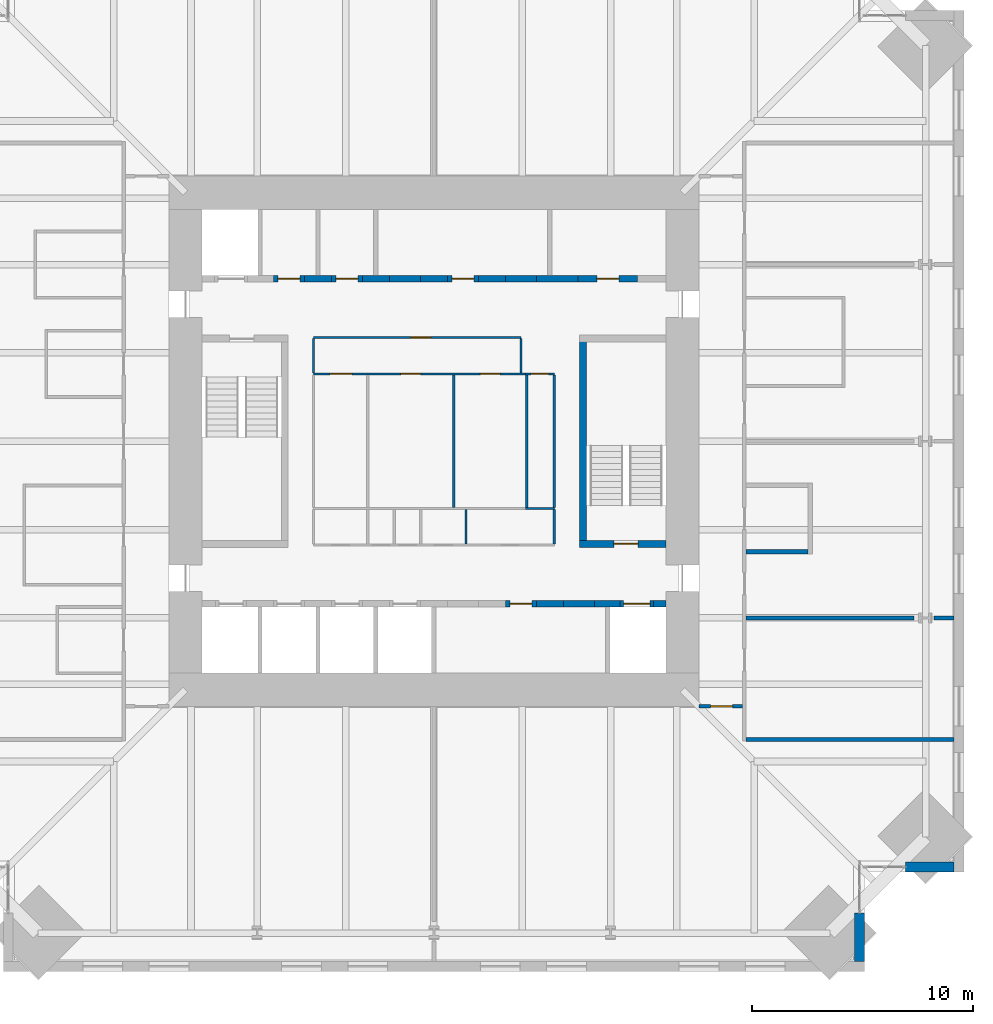
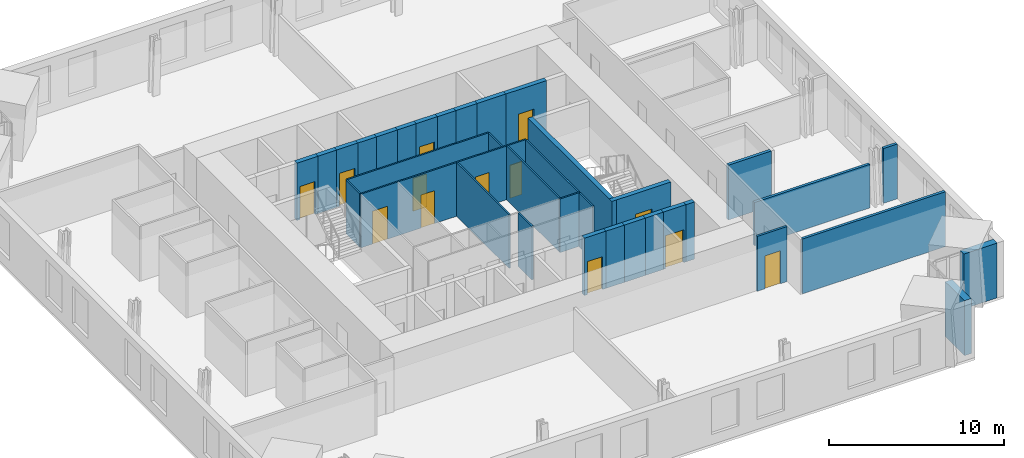
# One storey, part 12 of 15: 37 walls, 13 doors, 13 openings.
"""IFC4 building model written with IfcOpenShell, lengths in metres."""

from ifc_helpers import new_model, si_unit, direction, frame, frame_2d, origin, place, context, subcontext, project, spatial, rectangle, extrude, material, layer, layer_set, type_object, element, fill, save


model = new_model("IFC4")

# Units and contexts
model_context = context("Model", 3, precision=1e-05, world=origin(), true_north=direction((0.0, 1.0)))
body_context = subcontext(model_context, "Body", "Model", "MODEL_VIEW")
ifc_project = project(units=[si_unit("LENGTHUNIT", "METRE"), si_unit("AREAUNIT", "SQUARE_METRE"), si_unit("VOLUMEUNIT", "CUBIC_METRE"), si_unit("PLANEANGLEUNIT", "RADIAN"), si_unit("MASSUNIT", "GRAM", prefix="KILO")], contexts=[model_context])

# Site, building, storey
site_placement = place(None, origin())
site = spatial("IfcSite", under=ifc_project, at=site_placement, CompositionType="ELEMENT")
building_placement = place(site_placement, origin())
building = spatial("IfcBuilding", under=site, at=building_placement, Name="Peilmerk Tower", CompositionType="ELEMENT")
storey_placement = place(building_placement, frame((0.0, 0.0, 213.800048828125)))
storey = spatial("IfcBuildingStorey", under=building, at=storey_placement, Name="L46", CompositionType="ELEMENT", Elevation=213.800048828125)

# Walls
ifc_material_1 = material(Name="Precast concrete C45/55, board-marked finish", Category="concrete")
ifc_layer_1 = layer(ifc_material_1, 0.449951171875)
ifc_layer_set_1 = layer_set([ifc_layer_1], Name="Precast concrete C45/55, board-marked finish")
wall_type_1 = type_object("IfcWallType", Name="EW1 450 precast concrete facade wall, board-marked", PredefinedType="SOLIDWALL", material=ifc_layer_set_1)
for number, where, z_axis, x_axis, name in (
    (1, (19.27490234375, -21.353759765625, 0.0), (0.0, 0.0, 1.0), (0.0, -1.0, 0.0), "Facade wall SEA L46"),
    (2, (21.353759765625, -19.27490234375, 0.0), (0.0, 0.0, 1.0), (1.0, 0.0, 0.0), "Facade wall SEB L46"),
):
    element("IfcWall", number, at=place(storey_placement, frame(where, z_axis=z_axis, x_axis=x_axis)), inside=storey, type_object=wall_type_1, Name=name, PredefinedType="SOLIDWALL", context=body_context, shape_type="SweptSolid", body=[
        extrude(rectangle(XDim=2.1962890625, YDim=0.449951171875, at=frame_2d((1.09814453125, 0.0))), origin(), (0.0, 0.0, 1.0), 3.829833984375),
    ])

# Wall, opening, door
ifc_material_2 = material(Name="Calcium silicate block", Category="masonry")
ifc_layer_2 = layer(ifc_material_2, 0.14990234375)
ifc_layer_set_2 = layer_set([ifc_layer_2], Name="Calcium silicate block")
wall_type_2 = type_object("IfcWallType", Name="IW1 150 corridor partition, EI 60", PredefinedType="PARTITIONING", material=ifc_layer_set_2)
wall_1_placement = place(storey_placement, frame((13.97509765625, -12.0, 0.0), z_axis=(0.0, 0.0, 1.0), x_axis=(-1.0, 0.0, 0.0)))
wall_1 = element("IfcWall", 3, at=wall_1_placement, inside=storey, type_object=wall_type_2, Name="Corridor wall SE L46", PredefinedType="PARTITIONING", context=body_context, shape_type="SweptSolid", body=[
    extrude(rectangle(XDim=1.97509765625, YDim=0.14990234375, at=frame_2d((0.987548828125, 0.0))), origin(), (0.0, 0.0, 1.0), 3.829833984375),
])
opening_1_placement = place(wall_1_placement, frame((0.449951171875, 0.0, 0.0)))
opening_1 = element("IfcOpeningElement", 4, at=opening_1_placement, cuts=wall_1, Name="Opening D1", PredefinedType="OPENING", context=body_context, shape_type="SweptSolid", body=[
    extrude(rectangle(XDim=1.0, YDim=2.300048828125, at=frame_2d((0.5, 1.14990234375))), frame((0.0, 0.0849609375, 0.0), z_axis=(0.0, -1.0, 0.0), x_axis=(1.0, 0.0, 0.0)), (0.0, 0.0, 1.0), 0.169921875),
])
ifc_material_3 = material(Name="Timber door in steel frame", Category="steel")
door_type_1 = type_object("IfcDoorType", Name="D1 1000x2300 room door, EI2 30", OperationType="SINGLE_SWING_LEFT", PredefinedType="DOOR", material=ifc_material_3)
door_1_placement = place(opening_1_placement, origin())
door_1 = element("IfcDoor", 5, at=door_1_placement, inside=storey, type_object=door_type_1, Name="Door Open workspace L46", OperationType="SINGLE_SWING_LEFT", OverallHeight=2.300048828125, OverallWidth=1.0, PredefinedType="DOOR", context=body_context, shape_type="SweptSolid", body=[
    extrude(rectangle(XDim=1.0, YDim=2.300048828125, at=frame_2d((0.5, 1.14990234375))), frame((0.0, 0.02490234375, 0.0), z_axis=(0.0, -1.0, 0.0), x_axis=(1.0, 0.0, 0.0)), (0.0, 0.0, 1.0), 0.050048828125),
])
fill(opening_1, door_1)

# Walls
ifc_layer_3 = layer(ifc_material_2, 0.199951171875)
ifc_layer_set_3 = layer_set([ifc_layer_3], Name="Calcium silicate block")
wall_type_3 = type_object("IfcWallType", Name="IW2 200 room separating wall, EI 120", PredefinedType="PARTITIONING", material=ifc_layer_set_3)
wall_2_placement = place(storey_placement, frame((14.125, -5.0, 0.0), z_axis=(0.0, 0.0, 1.0), x_axis=(1.0, 0.0, 0.0)))
element("IfcWall", 6, at=wall_2_placement, inside=storey, type_object=wall_type_3, Name="Room separating wall Print room L46", PredefinedType="PARTITIONING", context=body_context, shape_type="SweptSolid", body=[
    extrude(rectangle(XDim=2.824951171875, YDim=0.199951171875, at=frame_2d((1.41259765625, 0.0))), origin(), (0.0, 0.0, 1.0), 3.829833984375),
])
ifc_material_4 = material(Name="Concrete C35/45", Category="concrete")
ifc_layer_4 = layer(ifc_material_4, 0.300048828125)
ifc_layer_set_4 = layer_set([ifc_layer_4], Name="Concrete C35/45")
wall_type_4 = type_object("IfcWallType", Name="IW3 300 concrete stair enclosure wall, EI 120", PredefinedType="SOLIDWALL", material=ifc_layer_set_4)
wall_3_placement = place(storey_placement, frame((6.75, -4.800048828125, 0.0), z_axis=(0.0, 0.0, 1.0), x_axis=(0.0, 1.0, 0.0)))
element("IfcWall", 7, at=wall_3_placement, inside=storey, type_object=wall_type_4, Name="Stair 2 enclosure L46", PredefinedType="SOLIDWALL", context=body_context, shape_type="SweptSolid", body=[
    extrude(rectangle(XDim=9.60009765625, YDim=0.300048828125, at=frame_2d((4.800048828125, 0.0))), origin(), (0.0, 0.0, 1.0), 3.75),
])

# Wall, opening, door
wall_4_placement = place(storey_placement, frame((10.5, -4.64990234375, 0.0), z_axis=(0.0, 0.0, 1.0), x_axis=(-1.0, 0.0, 0.0)))
wall_4 = element("IfcWall", 8, at=wall_4_placement, inside=storey, type_object=wall_type_4, Name="Stair 2 enclosure L46", PredefinedType="SOLIDWALL", context=body_context, shape_type="SweptSolid", body=[
    extrude(rectangle(XDim=3.89990234375, YDim=0.300048828125, at=frame_2d((1.949951171875, 0.0))), origin(), (0.0, 0.0, 1.0), 3.75),
])
opening_2_placement = place(wall_4_placement, frame((1.25, 0.0, 0.0)))
opening_2 = element("IfcOpeningElement", 9, at=opening_2_placement, cuts=wall_4, Name="Opening D4", PredefinedType="OPENING", context=body_context, shape_type="SweptSolid", body=[
    extrude(rectangle(XDim=1.10009765625, YDim=2.300048828125, at=frame_2d((0.550048828125, 1.14990234375))), frame((0.0, 0.159912109375, 0.0), z_axis=(0.0, -1.0, 0.0), x_axis=(1.0, 0.0, 0.0)), (0.0, 0.0, 1.0), 0.320068359375),
])
ifc_material_5 = material(Name="Steel door in steel frame", Category="steel")
door_type_2 = type_object("IfcDoorType", Name="D4 1100x2300 stair door, EI2 60", OperationType="SINGLE_SWING_RIGHT", PredefinedType="DOOR", material=ifc_material_5)
door_2_placement = place(opening_2_placement, frame((1.10009765625, 0.0, 0.0), z_axis=(0.0, 0.0, 1.0), x_axis=(-1.0, 0.0, 0.0)))
door_2 = element("IfcDoor", 10, at=door_2_placement, inside=storey, type_object=door_type_2, Name="Stair 2 door L46", OperationType="SINGLE_SWING_RIGHT", OverallHeight=2.300048828125, OverallWidth=1.10009765625, PredefinedType="DOOR", context=body_context, shape_type="SweptSolid", body=[
    extrude(rectangle(XDim=1.10009765625, YDim=2.300048828125, at=frame_2d((0.550048828125, 1.14990234375))), frame((0.0, 0.02490234375, 0.0), z_axis=(0.0, -1.0, 0.0), x_axis=(1.0, 0.0, 0.0)), (0.0, 0.0, 1.0), 0.050048828125),
])
fill(opening_2, door_2)

# Wall, openings, doors
ifc_material_6 = material(Name="Plasterboard on steel studs", Category="steel")
ifc_layer_5 = layer(ifc_material_6, 0.10009765625)
ifc_layer_set_5 = layer_set([ifc_layer_5], Name="Plasterboard on steel studs")
wall_type_5 = type_object("IfcWallType", Name="IW4 100 WC partition", PredefinedType="PARTITIONING", material=ifc_layer_set_5)
wall_5_placement = place(storey_placement, frame((-5.449951171875, 3.050048828125, 0.0), z_axis=(0.0, 0.0, 1.0), x_axis=(1.0, 0.0, 0.0)))
wall_5 = element("IfcWall", 11, at=wall_5_placement, inside=storey, type_object=wall_type_5, Name="WC wall L46", PredefinedType="PARTITIONING", context=body_context, shape_type="SweptSolid", body=[
    extrude(rectangle(XDim=9.599853515625, YDim=0.10009765625, at=frame_2d((4.7998046875, 0.0))), origin(), (0.0, 0.0, 1.0), 3.75),
])
opening_3_placement = place(wall_5_placement, frame((0.75, 0.0, 0.0)))
opening_3 = element("IfcOpeningElement", 12, at=opening_3_placement, cuts=wall_5, Name="Opening D6", PredefinedType="OPENING", context=body_context, shape_type="SweptSolid", body=[
    extrude(rectangle(XDim=1.0, YDim=2.300048828125, at=frame_2d((0.5, 1.14990234375))), frame((0.0, 0.06005859375, 0.0), z_axis=(0.0, -1.0, 0.0), x_axis=(1.0, 0.0, 0.0)), (0.0, 0.0, 1.0), 0.1201171875),
])
opening_4_placement = place(wall_5_placement, frame((3.949951171875, 0.0, 0.0)))
opening_4 = element("IfcOpeningElement", 13, at=opening_4_placement, cuts=wall_5, Name="Opening D5", PredefinedType="OPENING", context=body_context, shape_type="SweptSolid", body=[
    extrude(rectangle(XDim=0.89990234375, YDim=2.300048828125, at=frame_2d((0.449951171875, 1.14990234375))), frame((0.0, 0.06005859375, 0.0), z_axis=(0.0, -1.0, 0.0), x_axis=(1.0, 0.0, 0.0)), (0.0, 0.0, 1.0), 0.1201171875),
])
opening_5_placement = place(wall_5_placement, frame((7.550048828125, 0.0, 0.0)))
opening_5 = element("IfcOpeningElement", 14, at=opening_5_placement, cuts=wall_5, Name="Opening D5", PredefinedType="OPENING", context=body_context, shape_type="SweptSolid", body=[
    extrude(rectangle(XDim=0.89990234375, YDim=2.300048828125, at=frame_2d((0.449951171875, 1.14990234375))), frame((0.0, 0.06005859375, 0.0), z_axis=(0.0, -1.0, 0.0), x_axis=(1.0, 0.0, 0.0)), (0.0, 0.0, 1.0), 0.1201171875),
])
door_type_3 = type_object("IfcDoorType", Name="D5 900x2300 WC door", OperationType="SINGLE_SWING_LEFT", PredefinedType="DOOR", material=ifc_material_3)
door_3_placement = place(opening_4_placement, frame((0.89990234375, 0.0, 0.0), z_axis=(0.0, 0.0, 1.0), x_axis=(-1.0, 0.0, 0.0)))
door_3 = element("IfcDoor", 15, at=door_3_placement, inside=storey, type_object=door_type_3, Name="Female toilets door L46", OperationType="SINGLE_SWING_LEFT", OverallHeight=2.300048828125, OverallWidth=0.89990234375, PredefinedType="DOOR", context=body_context, shape_type="SweptSolid", body=[
    extrude(rectangle(XDim=0.89990234375, YDim=2.300048828125, at=frame_2d((0.449951171875, 1.14990234375))), frame((0.0, 0.02490234375, 0.0), z_axis=(0.0, -1.0, 0.0), x_axis=(1.0, 0.0, 0.0)), (0.0, 0.0, 1.0), 0.050048828125),
])
fill(opening_4, door_3)
door_4_placement = place(opening_5_placement, frame((0.89990234375, 0.0, 0.0), z_axis=(0.0, 0.0, 1.0), x_axis=(-1.0, 0.0, 0.0)))
door_4 = element("IfcDoor", 16, at=door_4_placement, inside=storey, type_object=door_type_3, Name="Male toilets door L46", OperationType="SINGLE_SWING_LEFT", OverallHeight=2.300048828125, OverallWidth=0.89990234375, PredefinedType="DOOR", context=body_context, shape_type="SweptSolid", body=[
    extrude(rectangle(XDim=0.89990234375, YDim=2.300048828125, at=frame_2d((0.449951171875, 1.14990234375))), frame((0.0, 0.02490234375, 0.0), z_axis=(0.0, -1.0, 0.0), x_axis=(1.0, 0.0, 0.0)), (0.0, 0.0, 1.0), 0.050048828125),
])
fill(opening_5, door_4)
door_type_4 = type_object("IfcDoorType", Name="D6 1000x2300 accessible WC door", OperationType="SLIDING_TO_LEFT", PredefinedType="DOOR", material=ifc_material_3)
door_5_placement = place(opening_3_placement, frame((1.0, 0.0, 0.0), z_axis=(0.0, 0.0, 1.0), x_axis=(-1.0, 0.0, 0.0)))
door_5 = element("IfcDoor", 17, at=door_5_placement, inside=storey, type_object=door_type_4, Name="Accessible WC door L46", OperationType="SLIDING_TO_LEFT", OverallHeight=2.300048828125, OverallWidth=1.0, PredefinedType="DOOR", context=body_context, shape_type="SweptSolid", body=[
    extrude(rectangle(XDim=1.0, YDim=2.300048828125, at=frame_2d((0.5, 1.14990234375))), frame((0.0, 0.02490234375, 0.0), z_axis=(0.0, -1.0, 0.0), x_axis=(1.0, 0.0, 0.0)), (0.0, 0.0, 1.0), 0.050048828125),
])
fill(opening_3, door_5)

# Wall
wall_6_placement = place(storey_placement, frame((0.89990234375, -3.0, 0.0), z_axis=(0.0, 0.0, 1.0), x_axis=(0.0, 1.0, 0.0)))
element("IfcWall", 18, at=wall_6_placement, inside=storey, type_object=wall_type_5, Name="WC wall L46", PredefinedType="PARTITIONING", context=body_context, shape_type="SweptSolid", body=[
    extrude(rectangle(XDim=6.0, YDim=0.10009765625, at=frame_2d((3.0, 0.0))), origin(), (0.0, 0.0, 1.0), 3.75),
])

# Wall, opening, door
ifc_material_7 = material(Name="Calcium silicate board on steel studs", Category="steel")
ifc_layer_6 = layer(ifc_material_7, 0.10009765625)
ifc_layer_set_6 = layer_set([ifc_layer_6], Name="Calcium silicate board on steel studs")
wall_type_6 = type_object("IfcWallType", Name="IW5 100 riser enclosure wall, EI 60", PredefinedType="PARTITIONING", material=ifc_layer_set_6)
wall_7_placement = place(storey_placement, frame((4.14990234375, 3.050048828125, 0.0), z_axis=(0.0, 0.0, 1.0), x_axis=(1.0, 0.0, 0.0)))
wall_7 = element("IfcWall", 19, at=wall_7_placement, inside=storey, type_object=wall_type_6, Name="Riser wall L46", PredefinedType="PARTITIONING", context=body_context, shape_type="SweptSolid", body=[
    extrude(rectangle(XDim=1.300048828125, YDim=0.10009765625, at=frame_2d((0.64990234375, 0.0))), origin(), (0.0, 0.0, 1.0), 3.75),
])
opening_6_placement = place(wall_7_placement, frame((0.25, 0.0, 0.0)))
opening_6 = element("IfcOpeningElement", 20, at=opening_6_placement, cuts=wall_7, Name="Opening D7", PredefinedType="OPENING", context=body_context, shape_type="SweptSolid", body=[
    extrude(rectangle(XDim=0.800048828125, YDim=2.300048828125, at=frame_2d((0.39990234375, 1.14990234375))), frame((0.0, 0.06005859375, 0.0), z_axis=(0.0, -1.0, 0.0), x_axis=(1.0, 0.0, 0.0)), (0.0, 0.0, 1.0), 0.1201171875),
])
door_type_5 = type_object("IfcDoorType", Name="D7 800x2300 riser access door, EI2 60", OperationType="SINGLE_SWING_RIGHT", PredefinedType="DOOR", material=ifc_material_5)
door_6_placement = place(opening_6_placement, frame((0.800048828125, 0.0, 0.0), z_axis=(0.0, 0.0, 1.0), x_axis=(-1.0, 0.0, 0.0)))
door_6 = element("IfcDoor", 21, at=door_6_placement, inside=storey, type_object=door_type_5, Name="Plumbing riser door L46", OperationType="SINGLE_SWING_RIGHT", OverallHeight=2.300048828125, OverallWidth=0.800048828125, PredefinedType="DOOR", context=body_context, shape_type="SweptSolid", body=[
    extrude(rectangle(XDim=0.800048828125, YDim=2.300048828125, at=frame_2d((0.39990234375, 1.14990234375))), frame((0.0, 0.02490234375, 0.0), z_axis=(0.0, -1.0, 0.0), x_axis=(1.0, 0.0, 0.0)), (0.0, 0.0, 1.0), 0.050048828125),
])
fill(opening_6, door_6)

# Walls
wall_8_placement = place(storey_placement, frame((5.449951171875, -3.050048828125, 0.0), z_axis=(0.0, 0.0, 1.0), x_axis=(-1.0, 0.0, 0.0)))
element("IfcWall", 22, at=wall_8_placement, inside=storey, type_object=wall_type_6, Name="Riser wall L46", PredefinedType="PARTITIONING", context=body_context, shape_type="SweptSolid", body=[
    extrude(rectangle(XDim=1.300048828125, YDim=0.10009765625, at=frame_2d((0.64990234375, 0.0))), origin(), (0.0, 0.0, 1.0), 3.75),
])
for number, where, z_axis, x_axis, name in (
    (23, (5.449951171875, 3.0, 0.0), (0.0, 0.0, 1.0), (0.0, -1.0, 0.0), "Riser wall L46"),
    (24, (4.199951171875, -3.0, 0.0), (0.0, 0.0, 1.0), (0.0, 1.0, 0.0), "Riser wall L46"),
):
    element("IfcWall", number, at=place(storey_placement, frame(where, z_axis=z_axis, x_axis=x_axis)), inside=storey, type_object=wall_type_6, Name=name, PredefinedType="PARTITIONING", context=body_context, shape_type="SweptSolid", body=[
        extrude(rectangle(XDim=6.0, YDim=0.10009765625, at=frame_2d((3.0, 0.0))), origin(), (0.0, 0.0, 1.0), 3.75),
    ])
for number, where, z_axis, x_axis, name in (
    (25, (5.449951171875, -3.10009765625, 0.0), (0.0, 0.0, 1.0), (0.0, -1.0, 0.0), "Riser wall L46"),
    (26, (1.449951171875, -3.10009765625, 0.0), (0.0, 0.0, 1.0), (0.0, -1.0, 0.0), "Riser wall L46"),
):
    element("IfcWall", number, at=place(storey_placement, frame(where, z_axis=z_axis, x_axis=x_axis)), inside=storey, type_object=wall_type_6, Name=name, PredefinedType="PARTITIONING", context=body_context, shape_type="SweptSolid", body=[
        extrude(rectangle(XDim=1.5498046875, YDim=0.10009765625, at=frame_2d((0.77490234375, 0.0))), origin(), (0.0, 0.0, 1.0), 3.75),
    ])
ifc_layer_7 = layer(ifc_material_2, 0.175048828125)
ifc_layer_set_7 = layer_set([ifc_layer_7], Name="Calcium silicate block")
wall_type_7 = type_object("IfcWallType", Name="IW8 175 tenant separating wall, EI 60", PredefinedType="PARTITIONING", material=ifc_layer_set_7)
wall_9_placement = place(storey_placement, frame((23.550048828125, -13.5, 0.0), z_axis=(0.0, 0.0, 1.0), x_axis=(-1.0, 0.0, 0.0)))
element("IfcWall", 27, at=wall_9_placement, inside=storey, type_object=wall_type_7, Name="Tenant separating wall SE L46", PredefinedType="PARTITIONING", context=body_context, shape_type="SweptSolid", body=[
    extrude(rectangle(XDim=9.425048828125, YDim=0.175048828125, at=frame_2d((4.71240234375, 0.0))), origin(), (0.0, 0.0, 1.0), 3.829833984375),
])
wall_10_placement = place(storey_placement, frame((14.125, -8.0, 0.0), z_axis=(0.0, 0.0, 1.0), x_axis=(1.0, 0.0, 0.0)))
element("IfcWall", 28, at=wall_10_placement, inside=storey, type_object=wall_type_7, Name="Tenant separating wall E1 L46", PredefinedType="PARTITIONING", context=body_context, shape_type="SweptSolid", body=[
    extrude(rectangle(XDim=7.62548828125, YDim=0.175048828125, at=frame_2d((3.812744140625, 0.0))), origin(), (0.0, 0.0, 1.0), 3.0400390625),
])
wall_11_placement = place(storey_placement, frame((22.6396484375, -8.0, 0.0), z_axis=(0.0, 0.0, 1.0), x_axis=(1.0, 0.0, 0.0)))
element("IfcWall", 29, at=wall_11_placement, inside=storey, type_object=wall_type_7, Name="Tenant separating wall E1b L46", PredefinedType="PARTITIONING", context=body_context, shape_type="SweptSolid", body=[
    extrude(rectangle(XDim=0.910400390625, YDim=0.175048828125, at=frame_2d((0.455078125, 0.0))), origin(), (0.0, 0.0, 1.0), 3.829833984375),
])

# Wall, opening, door
ifc_material_8 = material(Name="Fire-resisting plasterboard on steel studs", Category="steel")
ifc_layer_8 = layer(ifc_material_8, 0.10009765625)
ifc_layer_set_8 = layer_set([ifc_layer_8], Name="Fire-resisting plasterboard on steel studs")
wall_type_8 = type_object("IfcWallType", Name="IW9 100 WC lobby wall, EI 30", PredefinedType="PARTITIONING", material=ifc_layer_set_8)
wall_12_placement = place(storey_placement, frame((-5.449951171875, 4.699951171875, 0.0), z_axis=(0.0, 0.0, 1.0), x_axis=(1.0, 0.0, 0.0)))
wall_12 = element("IfcWall", 30, at=wall_12_placement, inside=storey, type_object=wall_type_8, Name="WC lobby wall L46", PredefinedType="PARTITIONING", context=body_context, shape_type="SweptSolid", body=[
    extrude(rectangle(XDim=9.39990234375, YDim=0.10009765625, at=frame_2d((4.699951171875, 0.0))), origin(), (0.0, 0.0, 1.0), 3.75),
])
opening_7_placement = place(wall_12_placement, frame((4.39990234375, 0.0, 0.0)))
opening_7 = element("IfcOpeningElement", 31, at=opening_7_placement, cuts=wall_12, Name="Opening D11", PredefinedType="OPENING", context=body_context, shape_type="SweptSolid", body=[
    extrude(rectangle(XDim=0.89990234375, YDim=2.300048828125, at=frame_2d((0.449951171875, 1.14990234375))), frame((0.0, 0.06005859375, 0.0), z_axis=(0.0, -1.0, 0.0), x_axis=(1.0, 0.0, 0.0)), (0.0, 0.0, 1.0), 0.1201171875),
])
door_type_6 = type_object("IfcDoorType", Name="D11 900x2300 WC lobby door, EI2 30", OperationType="SINGLE_SWING_LEFT", PredefinedType="DOOR", material=ifc_material_3)
door_7_placement = place(opening_7_placement, frame((0.89990234375, 0.0, 0.0), z_axis=(0.0, 0.0, 1.0), x_axis=(-1.0, 0.0, 0.0)))
door_7 = element("IfcDoor", 32, at=door_7_placement, inside=storey, type_object=door_type_6, Name="WC lobby door L46", OperationType="SINGLE_SWING_LEFT", OverallHeight=2.300048828125, OverallWidth=0.89990234375, PredefinedType="DOOR", context=body_context, shape_type="SweptSolid", body=[
    extrude(rectangle(XDim=0.89990234375, YDim=2.300048828125, at=frame_2d((0.449951171875, 1.14990234375))), frame((0.0, 0.02490234375, 0.0), z_axis=(0.0, -1.0, 0.0), x_axis=(1.0, 0.0, 0.0)), (0.0, 0.0, 1.0), 0.050048828125),
])
fill(opening_7, door_7)

# Walls
for number, where, z_axis, x_axis, name in (
    (33, (-5.449951171875, 3.10009765625, 0.0), (0.0, 0.0, 1.0), (0.0, 1.0, 0.0), "WC lobby wall L46"),
    (34, (3.949951171875, 3.10009765625, 0.0), (0.0, 0.0, 1.0), (0.0, 1.0, 0.0), "WC lobby wall L46"),
):
    element("IfcWall", number, at=place(storey_placement, frame(where, z_axis=z_axis, x_axis=x_axis)), inside=storey, type_object=wall_type_8, Name=name, PredefinedType="PARTITIONING", context=body_context, shape_type="SweptSolid", body=[
        extrude(rectangle(XDim=1.5498046875, YDim=0.10009765625, at=frame_2d((0.77490234375, 0.0))), origin(), (0.0, 0.0, 1.0), 3.75),
    ])

# Wall, opening, door
ifc_layer_9 = layer(ifc_material_2, 0.300048828125)
ifc_layer_set_9 = layer_set([ifc_layer_9], Name="Calcium silicate block")
wall_type_9 = type_object("IfcWallType", Name="SH2 300 lift landing door panel, EI 120", PredefinedType="PARTITIONING", material=ifc_layer_set_9)
wall_13_placement = place(storey_placement, frame((-7.262451171875, 7.35009765625, 0.0), z_axis=(0.0, 0.0, 1.0), x_axis=(1.0, 0.0, 0.0)))
wall_13 = element("IfcWall", 35, at=wall_13_placement, inside=storey, type_object=wall_type_9, Name="Lift door panel N A1 L46", PredefinedType="PARTITIONING", context=body_context, shape_type="SweptSolid", body=[
    extrude(rectangle(XDim=1.39990234375, YDim=0.300048828125, at=frame_2d((0.699951171875, 0.0))), origin(), (0.0, 0.0, 1.0), 4.0),
])
opening_8_placement = place(wall_13_placement, frame((0.199951171875, 0.0, 0.0)))
opening_8 = element("IfcOpeningElement", 36, at=opening_8_placement, cuts=wall_13, Name="Opening D10", PredefinedType="OPENING", context=body_context, shape_type="SweptSolid", body=[
    extrude(rectangle(XDim=1.0, YDim=2.300048828125, at=frame_2d((0.5, 1.14990234375))), frame((0.0, 0.159912109375, 0.0), z_axis=(0.0, -1.0, 0.0), x_axis=(1.0, 0.0, 0.0)), (0.0, 0.0, 1.0), 0.320068359375),
])
door_type_7 = type_object("IfcDoorType", Name="D10 1000x2300 core room door, EI2 60", OperationType="SINGLE_SWING_RIGHT", PredefinedType="DOOR", material=ifc_material_5)
door_8_placement = place(opening_8_placement, origin())
door_8 = element("IfcDoor", 37, at=door_8_placement, inside=storey, type_object=door_type_7, Name="Door Water meter room L46", OperationType="SINGLE_SWING_RIGHT", OverallHeight=2.300048828125, OverallWidth=1.0, PredefinedType="DOOR", context=body_context, shape_type="SweptSolid", body=[
    extrude(rectangle(XDim=1.0, YDim=2.300048828125, at=frame_2d((0.5, 1.14990234375))), frame((0.0, 0.02490234375, 0.0), z_axis=(0.0, -1.0, 0.0), x_axis=(1.0, 0.0, 0.0)), (0.0, 0.0, 1.0), 0.050048828125),
])
fill(opening_8, door_8)

wall_14_placement = place(storey_placement, frame((-4.637451171875, 7.35009765625, 0.0), z_axis=(0.0, 0.0, 1.0), x_axis=(1.0, 0.0, 0.0)))
wall_14 = element("IfcWall", 38, at=wall_14_placement, inside=storey, type_object=wall_type_9, Name="Lift door panel N A2 L46", PredefinedType="PARTITIONING", context=body_context, shape_type="SweptSolid", body=[
    extrude(rectangle(XDim=1.39990234375, YDim=0.300048828125, at=frame_2d((0.699951171875, 0.0))), origin(), (0.0, 0.0, 1.0), 4.0),
])
opening_9_placement = place(wall_14_placement, frame((0.199951171875, 0.0, 0.0)))
opening_9 = element("IfcOpeningElement", 39, at=opening_9_placement, cuts=wall_14, Name="Opening D10", PredefinedType="OPENING", context=body_context, shape_type="SweptSolid", body=[
    extrude(rectangle(XDim=1.0, YDim=2.300048828125, at=frame_2d((0.5, 1.14990234375))), frame((0.0, 0.159912109375, 0.0), z_axis=(0.0, -1.0, 0.0), x_axis=(1.0, 0.0, 0.0)), (0.0, 0.0, 1.0), 0.320068359375),
])
door_9_placement = place(opening_9_placement, origin())
door_9 = element("IfcDoor", 40, at=door_9_placement, inside=storey, type_object=door_type_7, Name="Door Staff WC L46", OperationType="SINGLE_SWING_RIGHT", OverallHeight=2.300048828125, OverallWidth=1.0, PredefinedType="DOOR", context=body_context, shape_type="SweptSolid", body=[
    extrude(rectangle(XDim=1.0, YDim=2.300048828125, at=frame_2d((0.5, 1.14990234375))), frame((0.0, 0.02490234375, 0.0), z_axis=(0.0, -1.0, 0.0), x_axis=(1.0, 0.0, 0.0)), (0.0, 0.0, 1.0), 0.050048828125),
])
fill(opening_9, door_9)

# Wall
wall_15_placement = place(storey_placement, frame((-2.012451171875, 7.35009765625, 0.0), z_axis=(0.0, 0.0, 1.0), x_axis=(1.0, 0.0, 0.0)))
element("IfcWall", 41, at=wall_15_placement, inside=storey, type_object=wall_type_9, Name="Lift door panel N A3 L46", PredefinedType="PARTITIONING", context=body_context, shape_type="SweptSolid", body=[
    extrude(rectangle(XDim=1.39990234375, YDim=0.300048828125, at=frame_2d((0.699951171875, 0.0))), origin(), (0.0, 0.0, 1.0), 4.0),
])

# Wall, opening, door
wall_16_placement = place(storey_placement, frame((0.612548828125, 7.35009765625, 0.0), z_axis=(0.0, 0.0, 1.0), x_axis=(1.0, 0.0, 0.0)))
wall_16 = element("IfcWall", 42, at=wall_16_placement, inside=storey, type_object=wall_type_9, Name="Lift door panel N S1 L46", PredefinedType="PARTITIONING", context=body_context, shape_type="SweptSolid", body=[
    extrude(rectangle(XDim=1.39990234375, YDim=0.300048828125, at=frame_2d((0.699951171875, 0.0))), origin(), (0.0, 0.0, 1.0), 4.0),
])
opening_10_placement = place(wall_16_placement, frame((0.199951171875, 0.0, 0.0)))
opening_10 = element("IfcOpeningElement", 43, at=opening_10_placement, cuts=wall_16, Name="Opening D10", PredefinedType="OPENING", context=body_context, shape_type="SweptSolid", body=[
    extrude(rectangle(XDim=1.0, YDim=2.300048828125, at=frame_2d((0.5, 1.14990234375))), frame((0.0, 0.159912109375, 0.0), z_axis=(0.0, -1.0, 0.0), x_axis=(1.0, 0.0, 0.0)), (0.0, 0.0, 1.0), 0.320068359375),
])
door_10_placement = place(opening_10_placement, origin())
door_10 = element("IfcDoor", 44, at=door_10_placement, inside=storey, type_object=door_type_7, Name="Door Staff room L46", OperationType="SINGLE_SWING_RIGHT", OverallHeight=2.300048828125, OverallWidth=1.0, PredefinedType="DOOR", context=body_context, shape_type="SweptSolid", body=[
    extrude(rectangle(XDim=1.0, YDim=2.300048828125, at=frame_2d((0.5, 1.14990234375))), frame((0.0, 0.02490234375, 0.0), z_axis=(0.0, -1.0, 0.0), x_axis=(1.0, 0.0, 0.0)), (0.0, 0.0, 1.0), 0.050048828125),
])
fill(opening_10, door_10)

# Wall
wall_17_placement = place(storey_placement, frame((3.237548828125, 7.35009765625, 0.0), z_axis=(0.0, 0.0, 1.0), x_axis=(1.0, 0.0, 0.0)))
element("IfcWall", 45, at=wall_17_placement, inside=storey, type_object=wall_type_9, Name="Lift door panel N S2 L46", PredefinedType="PARTITIONING", context=body_context, shape_type="SweptSolid", body=[
    extrude(rectangle(XDim=1.39990234375, YDim=0.300048828125, at=frame_2d((0.699951171875, 0.0))), origin(), (0.0, 0.0, 1.0), 4.0),
])

# Wall, opening, door
wall_18_placement = place(storey_placement, frame((6.52490234375, 7.35009765625, 0.0), z_axis=(0.0, 0.0, 1.0), x_axis=(1.0, 0.0, 0.0)))
wall_18 = element("IfcWall", 46, at=wall_18_placement, inside=storey, type_object=wall_type_9, Name="Lift door panel N GL1 L46", PredefinedType="PARTITIONING", context=body_context, shape_type="SweptSolid", body=[
    extrude(rectangle(XDim=2.7001953125, YDim=0.300048828125, at=frame_2d((1.35009765625, 0.0))), origin(), (0.0, 0.0, 1.0), 4.0),
])
opening_11_placement = place(wall_18_placement, frame((0.85009765625, 0.0, 0.0)))
opening_11 = element("IfcOpeningElement", 47, at=opening_11_placement, cuts=wall_18, Name="Opening D10", PredefinedType="OPENING", context=body_context, shape_type="SweptSolid", body=[
    extrude(rectangle(XDim=1.0, YDim=2.300048828125, at=frame_2d((0.5, 1.14990234375))), frame((0.0, 0.159912109375, 0.0), z_axis=(0.0, -1.0, 0.0), x_axis=(1.0, 0.0, 0.0)), (0.0, 0.0, 1.0), 0.320068359375),
])
door_11_placement = place(opening_11_placement, origin())
door_11 = element("IfcDoor", 48, at=door_11_placement, inside=storey, type_object=door_type_7, Name="Door IT room L46", OperationType="SINGLE_SWING_RIGHT", OverallHeight=2.300048828125, OverallWidth=1.0, PredefinedType="DOOR", context=body_context, shape_type="SweptSolid", body=[
    extrude(rectangle(XDim=1.0, YDim=2.300048828125, at=frame_2d((0.5, 1.14990234375))), frame((0.0, 0.02490234375, 0.0), z_axis=(0.0, -1.0, 0.0), x_axis=(1.0, 0.0, 0.0)), (0.0, 0.0, 1.0), 0.050048828125),
])
fill(opening_11, door_11)

wall_19_placement = place(storey_placement, frame((3.237548828125, -7.35009765625, 0.0), z_axis=(0.0, 0.0, 1.0), x_axis=(1.0, 0.0, 0.0)))
wall_19 = element("IfcWall", 49, at=wall_19_placement, inside=storey, type_object=wall_type_9, Name="Lift door panel S B2 L46", PredefinedType="PARTITIONING", context=body_context, shape_type="SweptSolid", body=[
    extrude(rectangle(XDim=1.39990234375, YDim=0.300048828125, at=frame_2d((0.699951171875, 0.0))), origin(), (0.0, 0.0, 1.0), 4.0),
])
opening_12_placement = place(wall_19_placement, frame((0.199951171875, 0.0, 0.0)))
opening_12 = element("IfcOpeningElement", 50, at=opening_12_placement, cuts=wall_19, Name="Opening D10", PredefinedType="OPENING", context=body_context, shape_type="SweptSolid", body=[
    extrude(rectangle(XDim=1.0, YDim=2.300048828125, at=frame_2d((0.5, 1.14990234375))), frame((0.0, 0.159912109375, 0.0), z_axis=(0.0, -1.0, 0.0), x_axis=(1.0, 0.0, 0.0)), (0.0, 0.0, 1.0), 0.320068359375),
])
door_12_placement = place(opening_12_placement, frame((1.0, 0.0, 0.0), z_axis=(0.0, 0.0, 1.0), x_axis=(-1.0, 0.0, 0.0)))
door_12 = element("IfcDoor", 51, at=door_12_placement, inside=storey, type_object=door_type_7, Name="Door Mail room L46", OperationType="SINGLE_SWING_RIGHT", OverallHeight=2.300048828125, OverallWidth=1.0, PredefinedType="DOOR", context=body_context, shape_type="SweptSolid", body=[
    extrude(rectangle(XDim=1.0, YDim=2.300048828125, at=frame_2d((0.5, 1.14990234375))), frame((0.0, 0.02490234375, 0.0), z_axis=(0.0, -1.0, 0.0), x_axis=(1.0, 0.0, 0.0)), (0.0, 0.0, 1.0), 0.050048828125),
])
fill(opening_12, door_12)

# Wall
wall_20_placement = place(storey_placement, frame((5.862548828125, -7.35009765625, 0.0), z_axis=(0.0, 0.0, 1.0), x_axis=(1.0, 0.0, 0.0)))
element("IfcWall", 52, at=wall_20_placement, inside=storey, type_object=wall_type_9, Name="Lift door panel S B1 L46", PredefinedType="PARTITIONING", context=body_context, shape_type="SweptSolid", body=[
    extrude(rectangle(XDim=1.39990234375, YDim=0.300048828125, at=frame_2d((0.699951171875, 0.0))), origin(), (0.0, 0.0, 1.0), 4.0),
])

# Wall, opening, door
wall_21_placement = place(storey_placement, frame((8.4375, -7.35009765625, 0.0), z_axis=(0.0, 0.0, 1.0), x_axis=(1.0, 0.0, 0.0)))
wall_21 = element("IfcWall", 53, at=wall_21_placement, inside=storey, type_object=wall_type_9, Name="Lift door panel S FL2 L46", PredefinedType="PARTITIONING", context=body_context, shape_type="SweptSolid", body=[
    extrude(rectangle(XDim=1.5, YDim=0.300048828125, at=frame_2d((0.75, 0.0))), origin(), (0.0, 0.0, 1.0), 4.0),
])
opening_13_placement = place(wall_21_placement, frame((0.14990234375, 0.0, 0.0)))
opening_13 = element("IfcOpeningElement", 54, at=opening_13_placement, cuts=wall_21, Name="Opening LD2", PredefinedType="OPENING", context=body_context, shape_type="SweptSolid", body=[
    extrude(rectangle(XDim=1.199951171875, YDim=2.300048828125, at=frame_2d((0.60009765625, 1.14990234375))), frame((0.0, 0.159912109375, 0.0), z_axis=(0.0, -1.0, 0.0), x_axis=(1.0, 0.0, 0.0)), (0.0, 0.0, 1.0), 0.320068359375),
])
ifc_material_9 = material(Name="Stainless steel landing door", Category="steel")
door_type_8 = type_object("IfcDoorType", Name="LD2 1200x2300 lift landing door, sliding, EI2 60", OperationType="SLIDING_TO_LEFT", PredefinedType="DOOR", material=ifc_material_9)
door_13_placement = place(opening_13_placement, origin())
door_13 = element("IfcDoor", 55, at=door_13_placement, inside=storey, type_object=door_type_8, Name="Lift landing door FL2 L46", OperationType="SLIDING_TO_LEFT", OverallHeight=2.300048828125, OverallWidth=1.199951171875, PredefinedType="DOOR", context=body_context, shape_type="SweptSolid", body=[
    extrude(rectangle(XDim=1.199951171875, YDim=2.300048828125, at=frame_2d((0.60009765625, 1.14990234375))), frame((0.0, 0.02490234375, 0.0), z_axis=(0.0, -1.0, 0.0), x_axis=(1.0, 0.0, 0.0)), (0.0, 0.0, 1.0), 0.050048828125),
])
fill(opening_13, door_13)

# Walls
ifc_material_10 = material(Name="Concrete C55/67", Category="concrete")
ifc_layer_10 = layer(ifc_material_10, 0.300048828125)
ifc_layer_set_10 = layer_set([ifc_layer_10], Name="Concrete C55/67")
wall_type_10 = type_object("IfcWallType", Name="SW2 300 lift bank pier", PredefinedType="SHEAR", material=ifc_layer_set_10)
for number, where, z_axis, x_axis, name in (
    (56, (-5.862548828125, 7.35009765625, 0.0), (0.0, 0.0, 1.0), (1.0, 0.0, 0.0), "Lift bank pier N L46"),
    (57, (-3.237548828125, 7.35009765625, 0.0), (0.0, 0.0, 1.0), (1.0, 0.0, 0.0), "Lift bank pier N L46"),
    (58, (-0.612548828125, 7.35009765625, 0.0), (0.0, 0.0, 1.0), (1.0, 0.0, 0.0), "Lift bank pier N L46"),
    (59, (2.012451171875, 7.35009765625, 0.0), (0.0, 0.0, 1.0), (1.0, 0.0, 0.0), "Lift bank pier N L46"),
):
    element("IfcWall", number, at=place(storey_placement, frame(where, z_axis=z_axis, x_axis=x_axis)), inside=storey, type_object=wall_type_10, Name=name, PredefinedType="SHEAR", context=body_context, shape_type="SweptSolid", body=[
        extrude(rectangle(XDim=1.22509765625, YDim=0.300048828125, at=frame_2d((0.612548828125, 0.0))), origin(), (0.0, 0.0, 1.0), 4.0),
    ])
wall_22_placement = place(storey_placement, frame((4.637451171875, 7.35009765625, 0.0), z_axis=(0.0, 0.0, 1.0), x_axis=(1.0, 0.0, 0.0)))
element("IfcWall", 60, at=wall_22_placement, inside=storey, type_object=wall_type_10, Name="Lift bank pier N L46", PredefinedType="SHEAR", context=body_context, shape_type="SweptSolid", body=[
    extrude(rectangle(XDim=1.887451171875, YDim=0.300048828125, at=frame_2d((0.94384765625, 0.0))), origin(), (0.0, 0.0, 1.0), 4.0),
])
wall_23_placement = place(storey_placement, frame((4.637451171875, -7.35009765625, 0.0), z_axis=(0.0, 0.0, 1.0), x_axis=(1.0, 0.0, 0.0)))
element("IfcWall", 61, at=wall_23_placement, inside=storey, type_object=wall_type_10, Name="Lift bank pier S L46", PredefinedType="SHEAR", context=body_context, shape_type="SweptSolid", body=[
    extrude(rectangle(XDim=1.22509765625, YDim=0.300048828125, at=frame_2d((0.612548828125, 0.0))), origin(), (0.0, 0.0, 1.0), 4.0),
])
wall_24_placement = place(storey_placement, frame((7.262451171875, -7.35009765625, 0.0), z_axis=(0.0, 0.0, 1.0), x_axis=(1.0, 0.0, 0.0)))
element("IfcWall", 62, at=wall_24_placement, inside=storey, type_object=wall_type_10, Name="Lift bank pier S L46", PredefinedType="SHEAR", context=body_context, shape_type="SweptSolid", body=[
    extrude(rectangle(XDim=1.175048828125, YDim=0.300048828125, at=frame_2d((0.58740234375, 0.0))), origin(), (0.0, 0.0, 1.0), 4.0),
])
wall_25_placement = place(storey_placement, frame((9.9375, -7.35009765625, 0.0), z_axis=(0.0, 0.0, 1.0), x_axis=(1.0, 0.0, 0.0)))
element("IfcWall", 63, at=wall_25_placement, inside=storey, type_object=wall_type_10, Name="Lift bank pier S L46", PredefinedType="SHEAR", context=body_context, shape_type="SweptSolid", body=[
    extrude(rectangle(XDim=0.5625, YDim=0.300048828125, at=frame_2d((0.28125, 0.0))), origin(), (0.0, 0.0, 1.0), 4.0),
])

save(model, "model.ifc")
